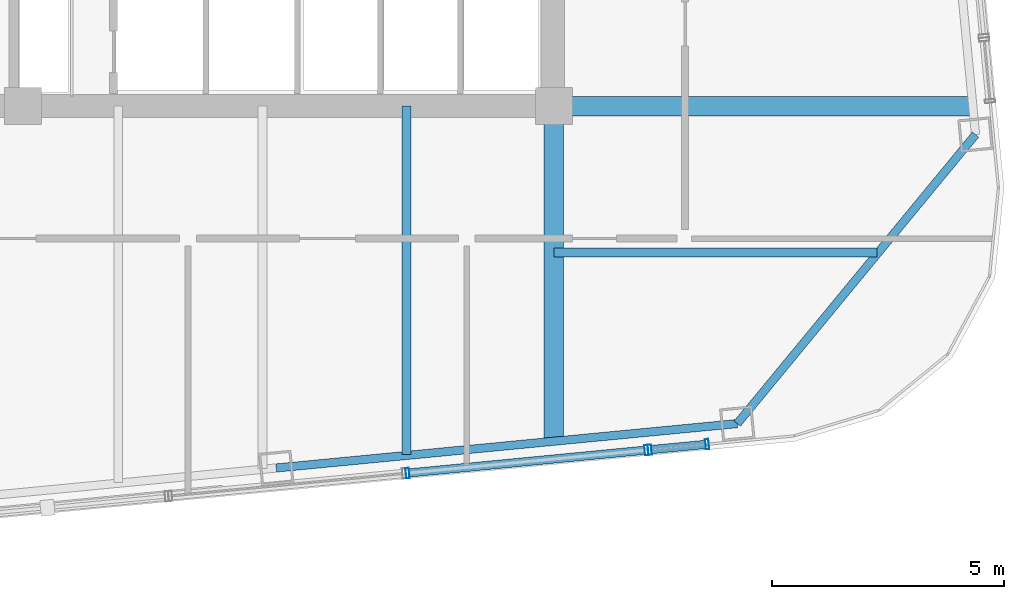
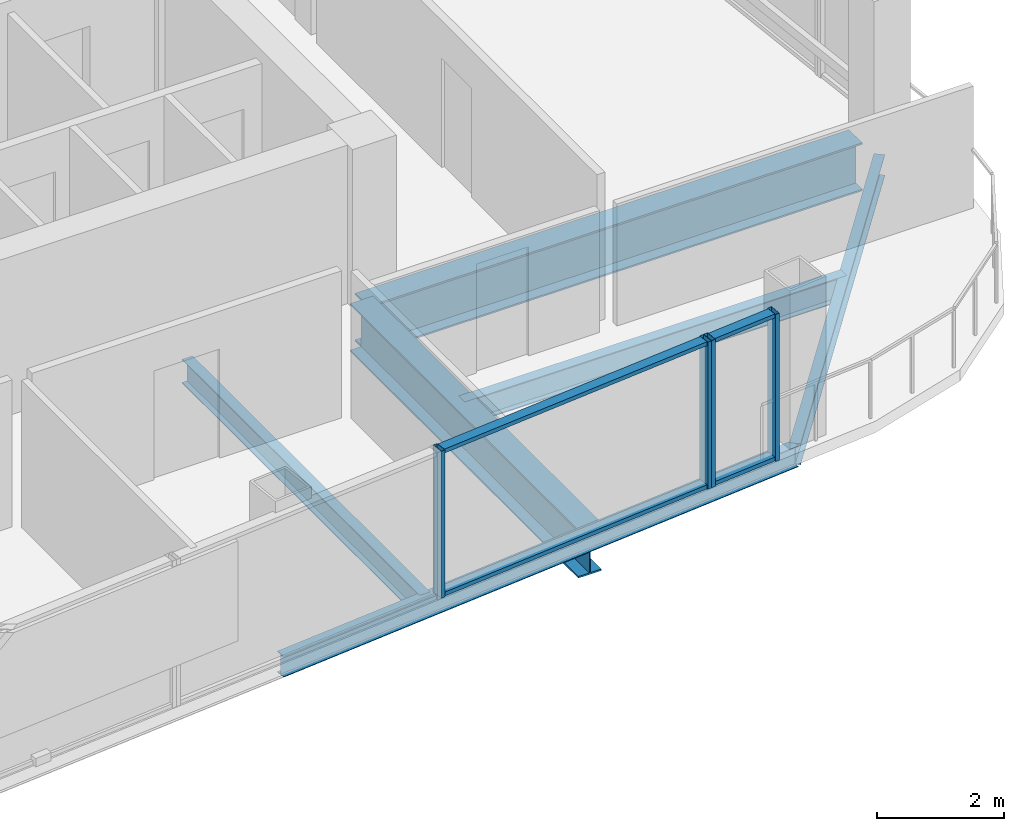
# One storey, part 13 of 29: 8 members, 6 beams, 2 elements without a shape of their own.
"""IFC4 building model written with IfcOpenShell, lengths in metres."""

from ifc_helpers import new_model, si_unit, direction, frame, origin, origin_2d, place, context, subcontext, project, spatial, hollow_rectangle, i_section, extrude, material, layer, layer_set, material_profile, profile_set, type_object, element, aggregate, save


model = new_model("IFC4")

# Units and contexts
model_context = context("Model", 3, precision=1e-05, world=origin(), true_north=direction((0.0, 1.0)))
body_context = subcontext(model_context, "Body", "Model", "MODEL_VIEW")
ifc_project = project(units=[si_unit("LENGTHUNIT", "METRE"), si_unit("AREAUNIT", "SQUARE_METRE"), si_unit("VOLUMEUNIT", "CUBIC_METRE"), si_unit("PLANEANGLEUNIT", "RADIAN"), si_unit("MASSUNIT", "GRAM", prefix="KILO")], contexts=[model_context])

# Site, building, storey
site_placement = place(None, origin())
site = spatial("IfcSite", under=ifc_project, at=site_placement, CompositionType="ELEMENT")
building_placement = place(site_placement, origin())
building = spatial("IfcBuilding", under=site, at=building_placement, Name="Qhalaya Broadcast Tower", CompositionType="ELEMENT")
storey_placement = place(building_placement, frame((0.0, 0.0, 177.5)))
storey = spatial("IfcBuildingStorey", under=building, at=storey_placement, Name="L52", CompositionType="ELEMENT", Elevation=177.5)

# Beams
ifc_material_1 = material(Name="Structural Steel ASTM A992 Grade 50", Category="steel")
ifc_material_profile_1 = material_profile(ifc_material_1, i_section(OverallWidth=0.19189453125, OverallDepth=0.462890625, WebThickness=0.010498046875, FlangeThickness=0.017578125, at=origin_2d()), Name="W18X60")
ifc_profile_set_1 = profile_set([ifc_material_profile_1], Name="Structural Steel ASTM A992 Grade 50")
beam_type_1 = type_object("IfcBeamType", Name="Composite Floor Joist J03", PredefinedType="JOIST", material=ifc_profile_set_1)
beam_1_placement = place(storey_placement, frame((6.199951171875, -16.24755859375, -0.451416015625), z_axis=(0.0, 1.0, 0.0), x_axis=(-1.0, 0.0, 0.0)))
element("IfcBeam", 1, at=beam_1_placement, inside=storey, type_object=beam_type_1, Name="L52 J03 L52-JNS5-1", PredefinedType="JOIST", context=body_context, shape_type="SweptSolid", body=[
    extrude(i_section(OverallWidth=0.19189453125, OverallDepth=0.462890625, WebThickness=0.010498046875, FlangeThickness=0.017578125, at=origin_2d()), origin(), (0.0, 0.0, 1.0), 7.49755859375),
])
beam_2_placement = place(storey_placement, frame((9.375, -11.89990234375, -0.451416015625), z_axis=(1.0, 0.0, 0.0), x_axis=(0.0, 1.0, 0.0)))
element("IfcBeam", 2, at=beam_2_placement, inside=storey, type_object=beam_type_1, Name="L52 J03 L52-JWE2E-1", PredefinedType="JOIST", context=body_context, shape_type="SweptSolid", body=[
    extrude(i_section(OverallWidth=0.19189453125, OverallDepth=0.462890625, WebThickness=0.010498046875, FlangeThickness=0.017578125, at=origin_2d()), origin(), (0.0, 0.0, 1.0), 6.95458984375),
])
ifc_material_profile_2 = material_profile(ifc_material_1, i_section(OverallWidth=0.4189453125, OverallDepth=0.927001953125, WebThickness=0.019287109375, FlangeThickness=0.031982421875, at=origin_2d()), Name="W36X231")
ifc_profile_set_2 = profile_set([ifc_material_profile_2], Name="Structural Steel ASTM A992 Grade 50")
beam_type_2 = type_object("IfcBeamType", Name="Mid Block Primary Girder PG3", PredefinedType="USERDEFINED", material=ifc_profile_set_2)
beam_3_placement = place(storey_placement, frame((9.375, -15.94189453125, -0.68359375), z_axis=(0.0, 1.0, 0.0), x_axis=(-1.0, 0.0, 0.0)))
element("IfcBeam", 3, at=beam_3_placement, inside=storey, type_object=beam_type_2, Name="L52 PG3 L52-PGXS2-1", ObjectType="GIRDER", PredefinedType="USERDEFINED", context=body_context, shape_type="SweptSolid", body=[
    extrude(i_section(OverallWidth=0.4189453125, OverallDepth=0.927001953125, WebThickness=0.019287109375, FlangeThickness=0.031982421875, at=origin_2d()), origin(), (0.0, 0.0, 1.0), 7.19189453125),
])
beam_4_placement = place(storey_placement, frame((9.375, -8.75, -0.68359375), z_axis=(1.0, 0.0, 0.0), x_axis=(0.0, 1.0, 0.0)))
element("IfcBeam", 4, at=beam_4_placement, inside=storey, type_object=beam_type_2, Name="L52 PG3 L52-PGYE1-1", ObjectType="GIRDER", PredefinedType="USERDEFINED", context=body_context, shape_type="SweptSolid", body=[
    extrude(i_section(OverallWidth=0.4189453125, OverallDepth=0.927001953125, WebThickness=0.019287109375, FlangeThickness=0.031982421875, at=origin_2d()), origin(), (0.0, 0.0, 1.0), 8.993896484375),
])

# Curtain wall, members
ifc_material_2 = material(Name="Fired Architectural Terracotta", Category="masonry")
ifc_layer_1 = layer(ifc_material_2, 0.219970703125, Name="Fired Architectural Terracotta")
ifc_layer_set_1 = layer_set([ifc_layer_1], Name="Fired Architectural Terracotta")
curtain_wall_type_1 = type_object("IfcCurtainWallType", Name="Block-Cap Unitised Terracotta Spandrel Wall CW-07", PredefinedType="NOTDEFINED", material=ifc_layer_set_1)
curtain_wall_1_placement = place(storey_placement, origin())
curtain_wall_1 = element("IfcCurtainWall", 5, at=curtain_wall_1_placement, inside=storey, type_object=curtain_wall_type_1, Name="L52 Unitised Curtain Wall L52-CW-S6", PredefinedType="NOTDEFINED")
ifc_material_3 = material(Name="Anodised Aluminium 6063-T6", Category="aluminium")
ifc_material_profile_3 = material_profile(ifc_material_3, hollow_rectangle(XDim=0.074951171875, YDim=0.219970703125, WallThickness=0.00390625, at=origin_2d()), Name="ALU-MUL 75x220x4")
ifc_profile_set_3 = profile_set([ifc_material_profile_3], Name="Anodised Aluminium 6063-T6")
member_type_1 = type_object("IfcMemberType", Name="Unitised Curtain-Wall Mullion M01", PredefinedType="MULLION", material=ifc_profile_set_3)
member_1_placement = place(storey_placement, frame((6.226318359375, -16.64697265625, 0.0), z_axis=(0.0, 0.0, 1.0), x_axis=(0.995395267059, 0.095855424032, 0.0)))
member_1 = element("IfcMember", 6, at=member_1_placement, type_object=member_type_1, Name="CW-07 mullion 1", PredefinedType="MULLION", context=body_context, shape_type="SweptSolid", body=[
    extrude(hollow_rectangle(XDim=0.074951171875, YDim=0.219970703125, WallThickness=0.00390625, at=origin_2d()), origin(), (0.0, 0.0, 1.0), 2.830078125),
])
member_2_placement = place(storey_placement, frame((11.363525390625, -16.152099609375, 0.0), z_axis=(0.0, 0.0, 1.0), x_axis=(0.995395267059, 0.095855424032, 0.0)))
member_2 = element("IfcMember", 7, at=member_2_placement, type_object=member_type_1, Name="CW-07 mullion 2", PredefinedType="MULLION", context=body_context, shape_type="SweptSolid", body=[
    extrude(hollow_rectangle(XDim=0.074951171875, YDim=0.219970703125, WallThickness=0.00390625, at=origin_2d()), origin(), (0.0, 0.0, 1.0), 2.830078125),
])

ifc_material_4 = material(Name="Solar-Control Low-E Triple Glazing", Category="glass")
ifc_layer_2 = layer(ifc_material_4, 0.219970703125, Name="Solar-Control Low-E Triple Glazing")
ifc_layer_set_2 = layer_set([ifc_layer_2], Name="Solar-Control Low-E Triple Glazing")
curtain_wall_type_2 = type_object("IfcCurtainWallType", Name="Even-Block 4-Storey Double-Module Curtain Wall CW-03", PredefinedType="NOTDEFINED", material=ifc_layer_set_2)
curtain_wall_2_placement = place(storey_placement, origin())
curtain_wall_2 = element("IfcCurtainWall", 8, at=curtain_wall_2_placement, inside=storey, type_object=curtain_wall_type_2, Name="L52 Unitised Curtain Wall L52-CW-S7", PredefinedType="NOTDEFINED")
member_3_placement = place(storey_placement, frame((11.438232421875, -16.14501953125, 0.0), z_axis=(0.0, 0.0, 1.0), x_axis=(0.99539857312, 0.095821086563, 0.0)))
member_3 = element("IfcMember", 9, at=member_3_placement, type_object=member_type_1, Name="CW-03 mullion 1", PredefinedType="MULLION", context=body_context, shape_type="SweptSolid", body=[
    extrude(hollow_rectangle(XDim=0.074951171875, YDim=0.219970703125, WallThickness=0.00390625, at=origin_2d()), origin(), (0.0, 0.0, 1.0), 2.830078125),
])
member_4_placement = place(storey_placement, frame((12.67236328125, -16.026123046875, 0.0), z_axis=(0.0, 0.0, 1.0), x_axis=(0.99539857312, 0.095821086563, 0.0)))
member_4 = element("IfcMember", 10, at=member_4_placement, type_object=member_type_1, Name="CW-03 mullion 2", PredefinedType="MULLION", context=body_context, shape_type="SweptSolid", body=[
    extrude(hollow_rectangle(XDim=0.074951171875, YDim=0.219970703125, WallThickness=0.00390625, at=origin_2d()), origin(), (0.0, 0.0, 1.0), 2.830078125),
])

# Member
ifc_material_profile_4 = material_profile(ifc_material_3, hollow_rectangle(XDim=0.074951171875, YDim=0.179931640625, WallThickness=0.00390625, at=origin_2d()), Name="ALU-TRN 75x180x4")
ifc_profile_set_4 = profile_set([ifc_material_profile_4], Name="Anodised Aluminium 6063-T6")
member_type_2 = type_object("IfcMemberType", Name="Unitised Curtain-Wall Transom T01", PredefinedType="USERDEFINED", material=ifc_profile_set_4)
member_5_placement = place(storey_placement, frame((6.263671875, -16.643310546875, 0.03759765625), z_axis=(0.995394593967, 0.095862413395, 0.0), x_axis=(0.0, 0.0, 1.0)))
member_5 = element("IfcMember", 11, at=member_5_placement, type_object=member_type_2, Name="CW-07 transom 1.1", ObjectType="TRANSOM", PredefinedType="USERDEFINED", context=body_context, shape_type="SweptSolid", body=[
    extrude(hollow_rectangle(XDim=0.074951171875, YDim=0.179931640625, WallThickness=0.00390625, at=origin_2d()), origin(), (0.0, 0.0, 1.0), 5.0859375),
])

member_6_placement = place(storey_placement, frame((6.263671875, -16.643310546875, 2.79248046875), z_axis=(0.995394593967, 0.095862413395, 0.0), x_axis=(0.0, 0.0, 1.0)))
member_6 = element("IfcMember", 12, at=member_6_placement, type_object=member_type_2, Name="CW-07 transom 1.2", ObjectType="TRANSOM", PredefinedType="USERDEFINED", context=body_context, shape_type="SweptSolid", body=[
    extrude(hollow_rectangle(XDim=0.074951171875, YDim=0.179931640625, WallThickness=0.00390625, at=origin_2d()), origin(), (0.0, 0.0, 1.0), 5.0859375),
])

aggregate(curtain_wall_1, [member_1, member_2, member_5, member_6])

member_7_placement = place(storey_placement, frame((11.4755859375, -16.141357421875, 0.03759765625), z_axis=(0.995403652262, 0.095768309281, 0.0), x_axis=(0.0, 0.0, 1.0)))
member_7 = element("IfcMember", 13, at=member_7_placement, type_object=member_type_2, Name="CW-03 transom 1.1", ObjectType="TRANSOM", PredefinedType="USERDEFINED", context=body_context, shape_type="SweptSolid", body=[
    extrude(hollow_rectangle(XDim=0.074951171875, YDim=0.179931640625, WallThickness=0.00390625, at=origin_2d()), origin(), (0.0, 0.0, 1.0), 1.1650390625),
])

member_8_placement = place(storey_placement, frame((11.4755859375, -16.141357421875, 2.79248046875), z_axis=(0.995403652262, 0.095768309281, 0.0), x_axis=(0.0, 0.0, 1.0)))
member_8 = element("IfcMember", 14, at=member_8_placement, type_object=member_type_2, Name="CW-03 transom 1.2", ObjectType="TRANSOM", PredefinedType="USERDEFINED", context=body_context, shape_type="SweptSolid", body=[
    extrude(hollow_rectangle(XDim=0.074951171875, YDim=0.179931640625, WallThickness=0.00390625, at=origin_2d()), origin(), (0.0, 0.0, 1.0), 1.1650390625),
])

aggregate(curtain_wall_2, [member_3, member_4, member_7, member_8])

# Beams
ifc_material_profile_5 = material_profile(ifc_material_1, i_section(OverallWidth=0.177978515625, OverallDepth=0.406005859375, WebThickness=0.0078125, FlangeThickness=0.0126953125, at=origin_2d()), Name="W16X40")
ifc_profile_set_5 = profile_set([ifc_material_profile_5], Name="Structural Steel ASTM A992 Grade 50")
beam_type_3 = type_object("IfcBeamType", Name="Upper Perimeter Spandrel Beam SP2", PredefinedType="SPANDREL", material=ifc_profile_set_5)
beam_5_placement = place(storey_placement, frame((3.399658203125, -16.537353515625, -0.423095703125), z_axis=(0.995395510024, 0.095852900965, 0.0), x_axis=(-0.095852900965, 0.995395510024, 0.0)))
element("IfcBeam", 15, at=beam_5_placement, inside=storey, type_object=beam_type_3, Name="L52 SP2 L52-SPR-03", PredefinedType="SPANDREL", context=body_context, shape_type="SweptSolid", body=[
    extrude(i_section(OverallWidth=0.177978515625, OverallDepth=0.406005859375, WebThickness=0.0078125, FlangeThickness=0.0126953125, at=origin_2d()), origin(), (0.0, 0.0, 1.0), 9.966552734375),
])
beam_6_placement = place(storey_placement, frame((13.3203125, -15.58203125, -0.423095703125), z_axis=(0.636085107008, 0.771618906354, 0.0), x_axis=(-0.771618906354, 0.636085107008, 0.0)))
element("IfcBeam", 16, at=beam_6_placement, inside=storey, type_object=beam_type_3, Name="L52 SP2 L52-SPR-04", PredefinedType="SPANDREL", context=body_context, shape_type="SweptSolid", body=[
    extrude(i_section(OverallWidth=0.177978515625, OverallDepth=0.406005859375, WebThickness=0.0078125, FlangeThickness=0.0126953125, at=origin_2d()), origin(), (0.0, 0.0, 1.0), 8.06103515625),
])

save(model, "model.ifc")
